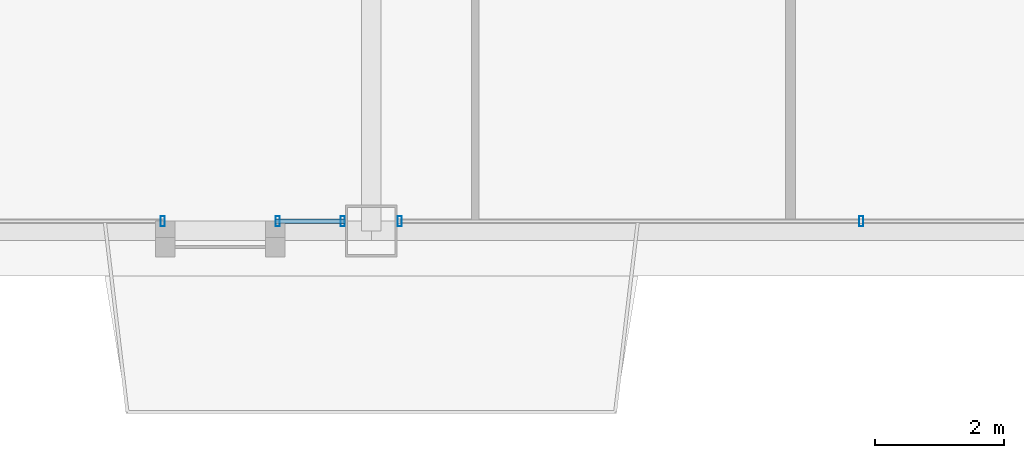
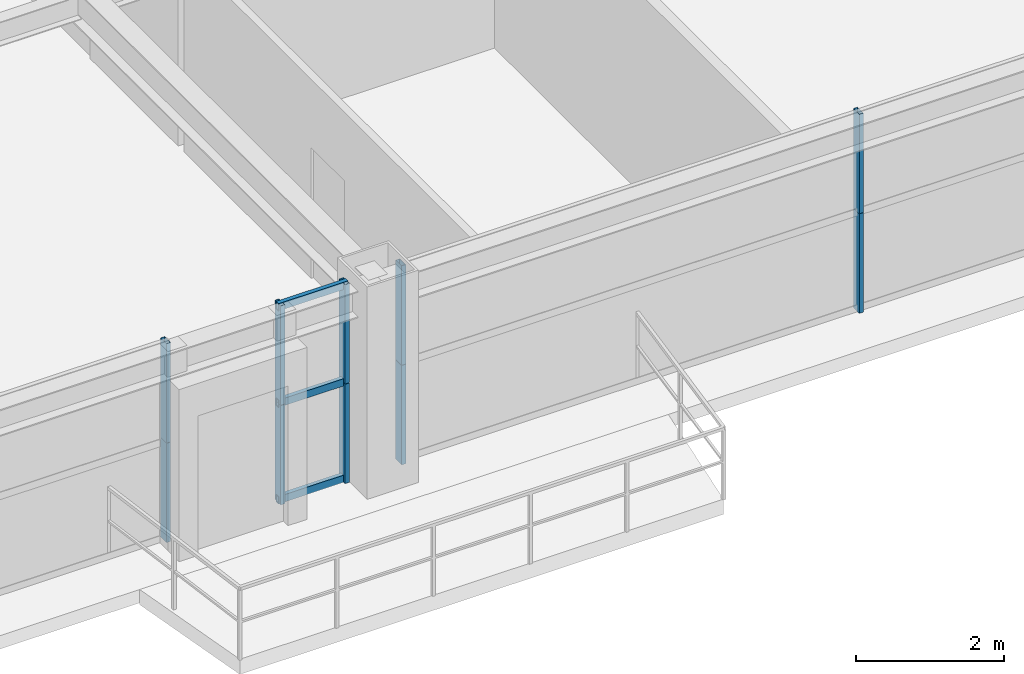
# One storey, part 9 of 42: 13 members, 3 elements without a shape of their own.
"""IFC4 building model written with IfcOpenShell, lengths in metres."""

from ifc_helpers import new_model, si_unit, direction, frame, origin, origin_2d, place, context, subcontext, project, spatial, hollow_rectangle, extrude, source, transform, mapped, material, layer, layer_set, material_profile, profile_set, type_object, element, aggregate, save


model = new_model("IFC4")

# Units and contexts
model_context = context("Model", 3, precision=1e-05, world=origin(), true_north=direction((0.0, 1.0)))
body_context = subcontext(model_context, "Body", "Model", "MODEL_VIEW")
ifc_project = project(units=[si_unit("LENGTHUNIT", "METRE"), si_unit("AREAUNIT", "SQUARE_METRE"), si_unit("VOLUMEUNIT", "CUBIC_METRE"), si_unit("PLANEANGLEUNIT", "RADIAN"), si_unit("MASSUNIT", "GRAM", prefix="KILO"), si_unit("THERMODYNAMICTEMPERATUREUNIT", "KELVIN"), si_unit("POWERUNIT", "WATT")], contexts=[model_context])

# Site, building, storey
site_placement = place(None, origin())
site = spatial("IfcSite", under=ifc_project, at=site_placement, CompositionType="ELEMENT")
building_placement = place(site_placement, origin())
building = spatial("IfcBuilding", under=site, at=building_placement, Name="Yuzanri Waterfront Tower", CompositionType="ELEMENT")
storey_placement = place(building_placement, frame((0.0, 0.0, 205.5)))
storey = spatial("IfcBuildingStorey", under=building, at=storey_placement, Name="L54", CompositionType="ELEMENT", Elevation=205.5)

# Curtain wall, members
ifc_material_1 = material(Name="Anodized Architectural Bronze", Category="metal")
ifc_layer = layer(ifc_material_1, 0.159912109375)
ifc_layer_set = layer_set([ifc_layer], Name="Anodized Architectural Bronze")
curtain_wall_type = type_object("IfcCurtainWallType", Name="Anodized Bronze Mid-Rise Residential Acoustic Unitized Curtain Wall 7200", PredefinedType="NOTDEFINED", material=ifc_layer_set)
curtain_wall_1_placement = place(storey_placement, origin())
curtain_wall_1 = element("IfcCurtainWall", 1, at=curtain_wall_1_placement, inside=storey, type_object=curtain_wall_type, Name="L54 Curtain Wall CW-L54-SL1", PredefinedType="NOTDEFINED")
ifc_material_2 = material(Name="Anodized Architectural Bronze", Category="metal")
ifc_material_profile_1 = material_profile(ifc_material_2, hollow_rectangle(XDim=0.06494140625, YDim=0.159912109375, WallThickness=0.00341796875, at=origin_2d()), Name="CWM 65x160")
ifc_profile_set_1 = profile_set([ifc_material_profile_1], Name="Anodized Architectural Bronze")
member_type_1 = type_object("IfcMemberType", Name="Anodized Bronze Upper-Zone Curtain-Wall Mullion 65x160", PredefinedType="MULLION", material=ifc_profile_set_1)
shared_shape_1 = source(origin(), body_context, "Body", "SweptSolid", [
    extrude(hollow_rectangle(XDim=0.06494140625, YDim=0.159912109375, WallThickness=0.00341796875, at=origin_2d()), origin(), (0.0, 0.0, 1.0), 1.637939453125),
])
member_1_placement = place(storey_placement, frame((33.77490234375, 3.85009765625, 0.0), z_axis=(0.0, 0.0, 1.0), x_axis=(1.0, 0.0, 0.0)))
member_1 = element("IfcMember", 2, at=member_1_placement, type_object=member_type_1, Name="CW-L54-SL1 Lower Mullion 02", PredefinedType="MULLION", context=body_context, shape_type="MappedRepresentation", body=[
    mapped(shared_shape_1, transform((0.0, 0.0, 0.0), scale=1.0)),
])
member_2_placement = place(storey_placement, frame((33.77490234375, 3.85009765625, 1.64208984375), z_axis=(0.0, 0.0, 1.0), x_axis=(1.0, 0.0, 0.0)))
member_2 = element("IfcMember", 3, at=member_2_placement, type_object=member_type_1, Name="CW-L54-SL1 Upper Mullion 02", PredefinedType="MULLION", context=body_context, shape_type="MappedRepresentation", body=[
    mapped(shared_shape_1, transform((0.0, 0.0, 0.0), scale=1.0)),
])
aggregate(curtain_wall_1, [member_1, member_2])

curtain_wall_2_placement = place(storey_placement, origin())
curtain_wall_2 = element("IfcCurtainWall", 4, at=curtain_wall_2_placement, inside=storey, type_object=curtain_wall_type, Name="L54 Curtain Wall CW-L54-SL2", PredefinedType="NOTDEFINED")
member_3_placement = place(storey_placement, frame((35.554931640625, 3.85009765625, 0.0), z_axis=(0.0, 0.0, 1.0), x_axis=(1.0, 0.0, 0.0)))
member_3 = element("IfcMember", 5, at=member_3_placement, type_object=member_type_1, Name="CW-L54-SL2 Lower Mullion 00", PredefinedType="MULLION", context=body_context, shape_type="MappedRepresentation", body=[
    mapped(shared_shape_1, transform((0.0, 0.0, 0.0), scale=1.0)),
])
member_4_placement = place(storey_placement, frame((35.554931640625, 3.85009765625, 1.64208984375), z_axis=(0.0, 0.0, 1.0), x_axis=(1.0, 0.0, 0.0)))
member_4 = element("IfcMember", 6, at=member_4_placement, type_object=member_type_1, Name="CW-L54-SL2 Upper Mullion 00", PredefinedType="MULLION", context=body_context, shape_type="MappedRepresentation", body=[
    mapped(shared_shape_1, transform((0.0, 0.0, 0.0), scale=1.0)),
])
member_5_placement = place(storey_placement, frame((36.56005859375, 3.85009765625, 0.0), z_axis=(0.0, 0.0, 1.0), x_axis=(1.0, 0.0, 0.0)))
member_5 = element("IfcMember", 7, at=member_5_placement, type_object=member_type_1, Name="CW-L54-SL2 Lower Mullion 01", PredefinedType="MULLION", context=body_context, shape_type="MappedRepresentation", body=[
    mapped(shared_shape_1, transform((0.0, 0.0, 0.0), scale=1.0)),
])
member_6_placement = place(storey_placement, frame((36.56005859375, 3.85009765625, 1.64208984375), z_axis=(0.0, 0.0, 1.0), x_axis=(1.0, 0.0, 0.0)))
member_6 = element("IfcMember", 8, at=member_6_placement, type_object=member_type_1, Name="CW-L54-SL2 Upper Mullion 01", PredefinedType="MULLION", context=body_context, shape_type="MappedRepresentation", body=[
    mapped(shared_shape_1, transform((0.0, 0.0, 0.0), scale=1.0)),
])

curtain_wall_3_placement = place(storey_placement, origin())
curtain_wall_3 = element("IfcCurtainWall", 9, at=curtain_wall_3_placement, inside=storey, type_object=curtain_wall_type, Name="L54 Curtain Wall CW-L54-SR", PredefinedType="NOTDEFINED")
member_7_placement = place(storey_placement, frame((37.43994140625, 3.85009765625, 0.0), z_axis=(0.0, 0.0, 1.0), x_axis=(1.0, 0.0, 0.0)))
member_7 = element("IfcMember", 10, at=member_7_placement, type_object=member_type_1, Name="CW-L54-SR Lower Mullion 00", PredefinedType="MULLION", context=body_context, shape_type="MappedRepresentation", body=[
    mapped(shared_shape_1, transform((0.0, 0.0, 0.0), scale=1.0)),
])
member_8_placement = place(storey_placement, frame((37.43994140625, 3.85009765625, 1.64208984375), z_axis=(0.0, 0.0, 1.0), x_axis=(1.0, 0.0, 0.0)))
member_8 = element("IfcMember", 11, at=member_8_placement, type_object=member_type_1, Name="CW-L54-SR Upper Mullion 00", PredefinedType="MULLION", context=body_context, shape_type="MappedRepresentation", body=[
    mapped(shared_shape_1, transform((0.0, 0.0, 0.0), scale=1.0)),
])
member_9_placement = place(storey_placement, frame((44.574951171875, 3.85009765625, 0.0), z_axis=(0.0, 0.0, 1.0), x_axis=(1.0, 0.0, 0.0)))
member_9 = element("IfcMember", 12, at=member_9_placement, type_object=member_type_1, Name="CW-L54-SR Lower Mullion 01", PredefinedType="MULLION", context=body_context, shape_type="MappedRepresentation", body=[
    mapped(shared_shape_1, transform((0.0, 0.0, 0.0), scale=1.0)),
])
member_10_placement = place(storey_placement, frame((44.574951171875, 3.85009765625, 1.64208984375), z_axis=(0.0, 0.0, 1.0), x_axis=(1.0, 0.0, 0.0)))
member_10 = element("IfcMember", 13, at=member_10_placement, type_object=member_type_1, Name="CW-L54-SR Upper Mullion 01", PredefinedType="MULLION", context=body_context, shape_type="MappedRepresentation", body=[
    mapped(shared_shape_1, transform((0.0, 0.0, 0.0), scale=1.0)),
])
aggregate(curtain_wall_3, [member_7, member_8, member_9, member_10])

# Member
ifc_material_3 = material(Name="Anodized Architectural Bronze", Category="metal")
ifc_material_profile_2 = material_profile(ifc_material_3, hollow_rectangle(XDim=0.06494140625, YDim=0.1201171875, WallThickness=0.00341796875, at=origin_2d()), Name="CWT 65x120")
ifc_profile_set_2 = profile_set([ifc_material_profile_2], Name="Anodized Architectural Bronze")
member_type_2 = type_object("IfcMemberType", Name="Anodized Bronze Secondary Curtain-Wall Transom 65x120", PredefinedType="USERDEFINED", material=ifc_profile_set_2)
shared_shape_2 = source(origin(), body_context, "Body", "SweptSolid", [
    extrude(hollow_rectangle(XDim=0.06494140625, YDim=0.1201171875, WallThickness=0.00341796875, at=origin_2d()), origin(), (0.0, 0.0, 1.0), 1.085205078125),
])
member_11_placement = place(storey_placement, frame((35.514892578125, 3.85009765625, 0.050048828125), z_axis=(1.0, 0.0, 0.0), x_axis=(0.0, 1.0, 0.0)))
member_11 = element("IfcMember", 14, at=member_11_placement, type_object=member_type_2, Name="CW-L54-SL2 Transom 1", ObjectType="TRANSOM", PredefinedType="USERDEFINED", context=body_context, shape_type="MappedRepresentation", body=[
    mapped(shared_shape_2, transform((0.0, 0.0, 0.0), scale=1.0)),
])

member_12_placement = place(storey_placement, frame((35.514892578125, 3.85009765625, 1.639892578125), z_axis=(1.0, 0.0, 0.0), x_axis=(0.0, 1.0, 0.0)))
member_12 = element("IfcMember", 15, at=member_12_placement, type_object=member_type_2, Name="CW-L54-SL2 Transom 2", ObjectType="TRANSOM", PredefinedType="USERDEFINED", context=body_context, shape_type="MappedRepresentation", body=[
    mapped(shared_shape_2, transform((0.0, 0.0, 0.0), scale=1.0)),
])

member_13_placement = place(storey_placement, frame((35.514892578125, 3.85009765625, 3.22998046875), z_axis=(1.0, 0.0, 0.0), x_axis=(0.0, 1.0, 0.0)))
member_13 = element("IfcMember", 16, at=member_13_placement, type_object=member_type_2, Name="CW-L54-SL2 Transom 3", ObjectType="TRANSOM", PredefinedType="USERDEFINED", context=body_context, shape_type="MappedRepresentation", body=[
    mapped(shared_shape_2, transform((0.0, 0.0, 0.0), scale=1.0)),
])

aggregate(curtain_wall_2, [member_3, member_4, member_5, member_6, member_11, member_12, member_13])

save(model, "model.ifc")
